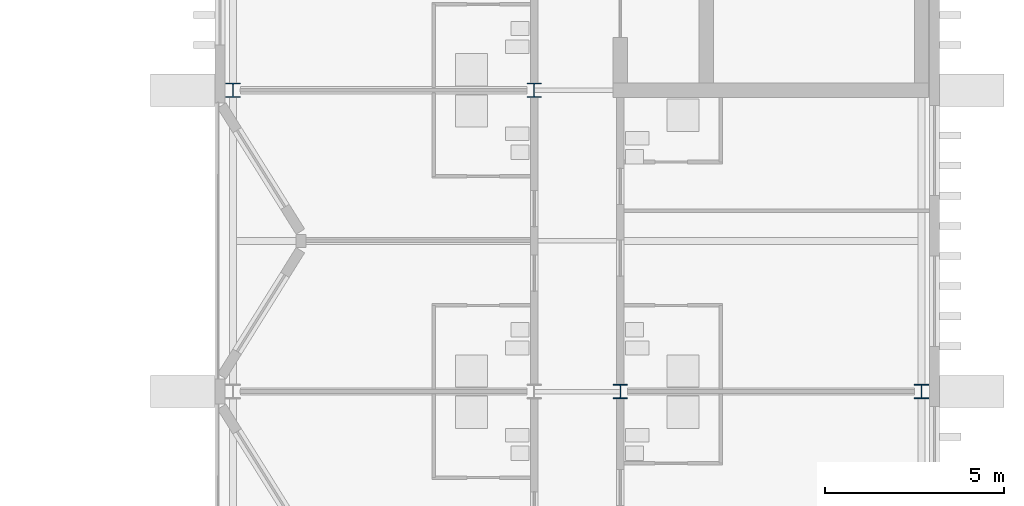
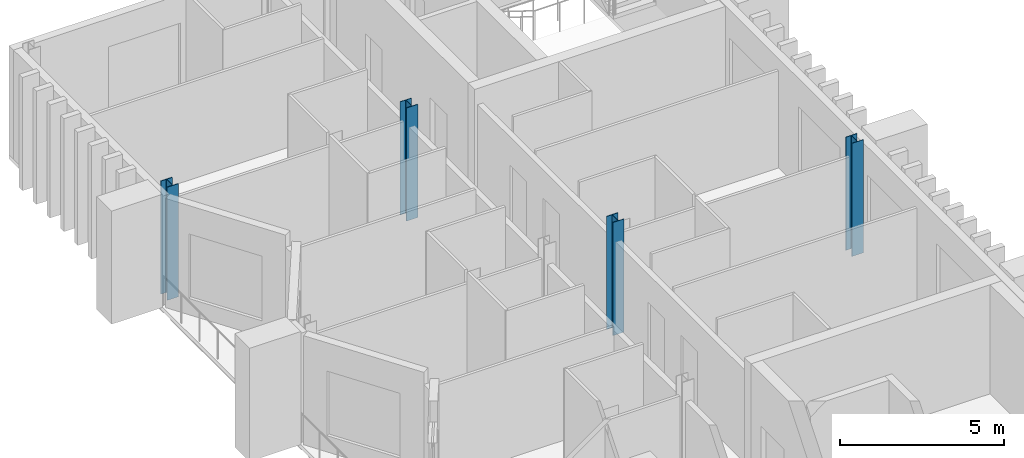
# One storey, part 4 of 21: 4 columns.
"""IFC4 building model written with IfcOpenShell, lengths in metres."""

from ifc_helpers import new_model, si_unit, direction, frame, origin, origin_2d, place, context, subcontext, project, spatial, i_section, extrude, material, material_profile, profile_set, type_object, element, save


model = new_model("IFC4")

# Units and contexts
model_context = context("Model", 3, precision=1e-05, world=origin(), true_north=direction((0.0, 1.0)))
body_context = subcontext(model_context, "Body", "Model", "MODEL_VIEW")
ifc_project = project(units=[si_unit("LENGTHUNIT", "METRE"), si_unit("AREAUNIT", "SQUARE_METRE"), si_unit("VOLUMEUNIT", "CUBIC_METRE"), si_unit("PLANEANGLEUNIT", "RADIAN"), si_unit("MASSUNIT", "GRAM", prefix="KILO")], contexts=[model_context])

# Site, building, storey
site_placement = place(None, origin())
site = spatial("IfcSite", under=ifc_project, at=site_placement, CompositionType="ELEMENT")
building_placement = place(site_placement, origin())
building = spatial("IfcBuilding", under=site, at=building_placement, Name="Cresset Court Congress Hotel", CompositionType="ELEMENT")
storey_placement = place(building_placement, frame((0.0, 0.0, 22.800048828125)))
storey = spatial("IfcBuildingStorey", under=building, at=storey_placement, Name="L05", CompositionType="ELEMENT", Elevation=22.800048828125)

# Columns
ifc_material = material(Name="Structural steel Q355B", Category="steel")
ifc_material_profile = material_profile(ifc_material, i_section(OverallWidth=0.39990234375, OverallDepth=0.39990234375, WebThickness=0.012939453125, FlangeThickness=0.02099609375, FilletRadius=0.02197265625, at=origin_2d()), Name="HW400x400x13x21")
ifc_profile_set = profile_set([ifc_material_profile], Name="Structural steel Q355B")
column_type = type_object("IfcColumnType", Name="Steel column HW400x400x13x21", PredefinedType="COLUMN", material=ifc_profile_set)
for number, where, z_axis, x_axis, name in (
    (1, (157.199951171875, 58.800048828125, 0.0), (0.0, 0.0, 1.0), (1.0, 0.0, 0.0), "Column L05 8-20"),
    (2, (165.60009765625, 58.800048828125, 0.0), (0.0, 0.0, 1.0), (1.0, 0.0, 0.0), "Column L05 8-21"),
    (3, (168.0, 50.39990234375, 0.0), (0.0, 0.0, 1.0), (1.0, 0.0, 0.0), "Column L05 7-22"),
    (4, (176.39990234375, 50.39990234375, 0.0), (0.0, 0.0, 1.0), (1.0, 0.0, 0.0), "Column L05 7-23"),
):
    element("IfcColumn", number, at=place(storey_placement, frame(where, z_axis=z_axis, x_axis=x_axis)), inside=storey, type_object=column_type, Name=name, PredefinedType="COLUMN", context=body_context, shape_type="SweptSolid", body=[
        extrude(i_section(OverallWidth=0.39990234375, OverallDepth=0.39990234375, WebThickness=0.012939453125, FlangeThickness=0.02099609375, FilletRadius=0.02197265625, at=origin_2d()), origin(), (0.0, 0.0, 1.0), 4.199951171875),
    ])

save(model, "model.ifc")
